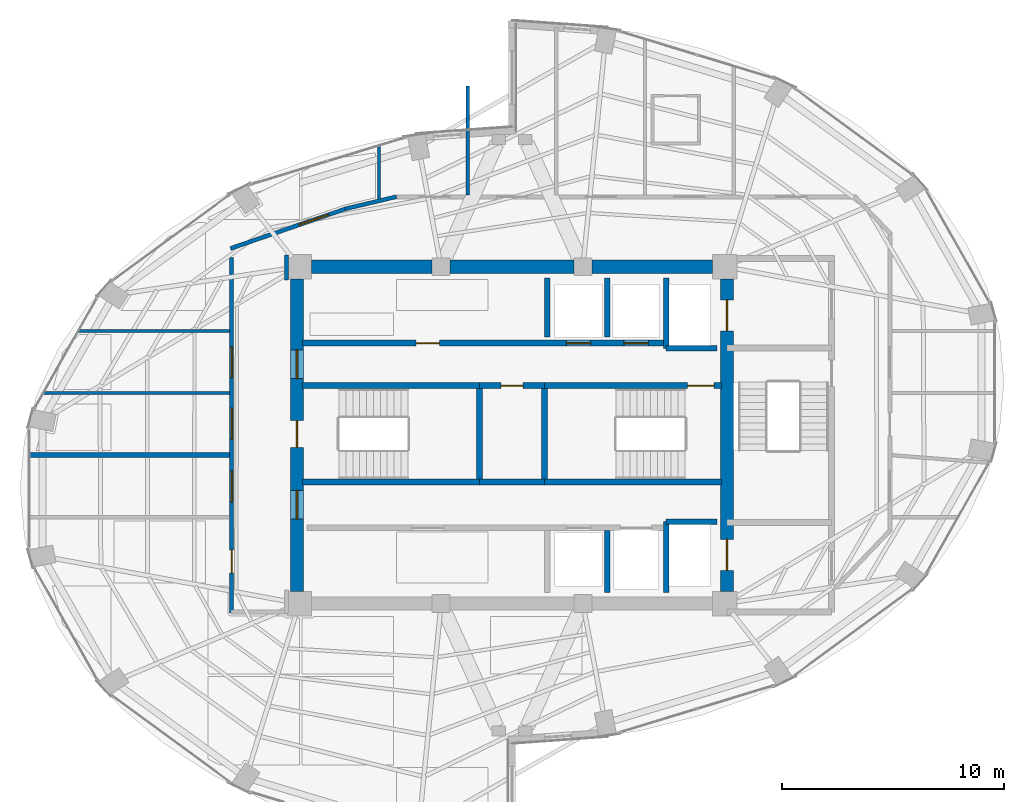
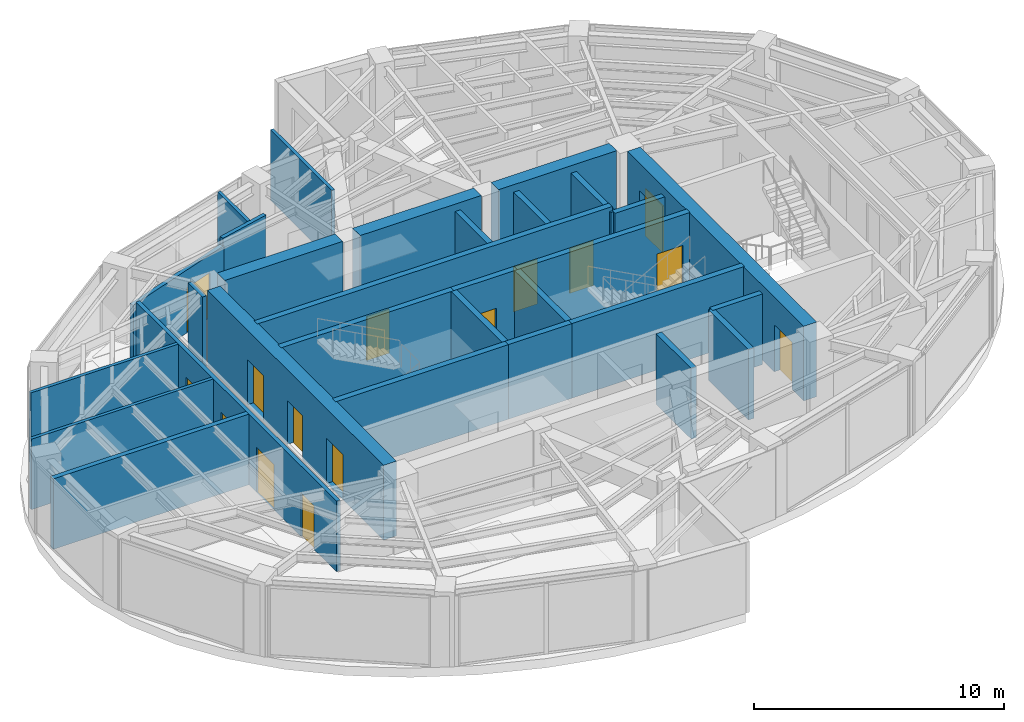
# One storey, part 19 of 23: 30 walls, 15 doors, 15 openings.
"""IFC4 building model written with IfcOpenShell, lengths in metres."""

from ifc_helpers import new_model, si_unit, direction, frame, frame_2d, origin, place, context, subcontext, project, spatial, rectangle, extrude, material, layer, layer_set, type_object, element, fill, save


model = new_model("IFC4")

# Units and contexts
model_context = context("Model", 3, precision=1e-05, world=origin(), true_north=direction((0.0, 1.0)))
body_context = subcontext(model_context, "Body", "Model", "MODEL_VIEW")
ifc_project = project(units=[si_unit("LENGTHUNIT", "METRE"), si_unit("AREAUNIT", "SQUARE_METRE"), si_unit("VOLUMEUNIT", "CUBIC_METRE"), si_unit("PLANEANGLEUNIT", "RADIAN"), si_unit("MASSUNIT", "GRAM", prefix="KILO")], contexts=[model_context])

# Site, building, storey
site_placement = place(None, origin())
site = spatial("IfcSite", under=ifc_project, at=site_placement, CompositionType="ELEMENT")
building_placement = place(site_placement, origin())
building = spatial("IfcBuilding", under=site, at=building_placement, Name="Lazwardi Medical Tower", CompositionType="ELEMENT")
storey_placement = place(building_placement, frame((0.0, 0.0, 194.83203125)))
storey = spatial("IfcBuildingStorey", under=building, at=storey_placement, Name="L50", CompositionType="ELEMENT", Elevation=194.83203125)

# Wall, opening, door
ifc_material_1 = material(Name="Fire-rated gypsum board on steel stud", Category="steel")
ifc_layer_1 = layer(ifc_material_1, 0.179931640625)
ifc_layer_set_1 = layer_set([ifc_layer_1], Name="Fire-rated gypsum board on steel stud")
wall_type_1 = type_object("IfcWallType", Name="WL-COR-180", PredefinedType="PARTITIONING", material=ifc_layer_set_1)
wall_1_placement = place(storey_placement, frame((23.294189453125, 36.422119140625, 0.0), z_axis=(0.0, 0.0, 1.0), x_axis=(0.945493277461, 0.325641616316, 0.0)))
wall_1 = element("IfcWall", 1, at=wall_1_placement, inside=storey, type_object=wall_type_1, Name="L50 Corridor partition 1", PredefinedType="PARTITIONING", context=body_context, shape_type="SweptSolid", body=[
    extrude(rectangle(XDim=5.5615234375, YDim=0.179931640625, at=frame_2d((2.78076171875, 0.0))), origin(), (0.0, 0.0, 1.0), 3.072998046875),
])
opening_1_placement = place(wall_1_placement, frame((3.28076171875, 0.0, 0.0)))
opening_1 = element("IfcOpeningElement", 2, at=opening_1_placement, cuts=wall_1, Name="Opening D-L50-019", PredefinedType="OPENING", context=body_context, shape_type="SweptSolid", body=[
    extrude(rectangle(XDim=1.39990234375, YDim=2.199951171875, at=frame_2d((0.699951171875, 1.10009765625))), frame((0.0, 0.099853515625, 0.0), z_axis=(0.0, -1.0, 0.0), x_axis=(1.0, 0.0, 0.0)), (0.0, 0.0, 1.0), 0.199951171875),
])
ifc_material_2 = material(Name="Anti-microbial laminate hospital leaf")
door_type_1 = type_object("IfcDoorType", Name="DR-BED-1400", OperationType="NOTDEFINED", PredefinedType="DOOR", material=ifc_material_2)
door_1_placement = place(opening_1_placement, origin())
door_1 = element("IfcDoor", 3, at=door_1_placement, inside=storey, type_object=door_type_1, Name="L50 Patient Bedroom Door 11", OperationType="SINGLE_SWING_LEFT", OverallHeight=2.199951171875, OverallWidth=1.39990234375, PredefinedType="DOOR", context=body_context, shape_type="SweptSolid", body=[
    extrude(rectangle(XDim=1.39990234375, YDim=2.199951171875, at=frame_2d((0.699951171875, 1.10009765625))), frame((0.0, 0.02490234375, 0.0), z_axis=(0.0, -1.0, 0.0), x_axis=(1.0, 0.0, 0.0)), (0.0, 0.0, 1.0), 0.050048828125),
])
fill(opening_1, door_1)

# Walls
wall_2_placement = place(storey_placement, frame((28.475830078125, 38.2109375, 0.0), z_axis=(0.0, 0.0, 1.0), x_axis=(0.973030562203, 0.230676234189, 0.0)))
element("IfcWall", 4, at=wall_2_placement, inside=storey, type_object=wall_type_1, Name="L50 Corridor partition 2", PredefinedType="PARTITIONING", context=body_context, shape_type="SweptSolid", body=[
    extrude(rectangle(XDim=2.377197265625, YDim=0.179931640625, at=frame_2d((1.1884765625, 0.0))), origin(), (0.0, 0.0, 1.0), 3.447998046875),
])
wall_3_placement = place(storey_placement, frame((25.830078125, 36.139892578125, 0.0), z_axis=(0.0, 0.0, 1.0), x_axis=(0.0, -1.0, 0.0)))
element("IfcWall", 5, at=wall_3_placement, inside=storey, type_object=wall_type_1, Name="L50 Corridor partition 7", PredefinedType="PARTITIONING", context=body_context, shape_type="SweptSolid", body=[
    extrude(rectangle(XDim=1.14990234375, YDim=0.179931640625, at=frame_2d((0.574951171875, 0.0))), origin(), (0.0, 0.0, 1.0), 3.447998046875),
])

# Wall, openings, doors
wall_4_placement = place(storey_placement, frame((23.35009765625, 19.97998046875, 0.0), z_axis=(0.0, 0.0, 1.0), x_axis=(0.0, 1.0, 0.0)))
wall_4 = element("IfcWall", 6, at=wall_4_placement, inside=storey, type_object=wall_type_1, Name="L50 Corridor partition 10", PredefinedType="PARTITIONING", context=body_context, shape_type="SweptSolid", body=[
    extrude(rectangle(XDim=16.04248046875, YDim=0.179931640625, at=frame_2d((8.021240234375, 0.0))), origin(), (0.0, 0.0, 1.0), 3.447998046875),
])
opening_2_placement = place(wall_4_placement, frame((5.00244140625, 0.0, 0.0)))
opening_2 = element("IfcOpeningElement", 7, at=opening_2_placement, cuts=wall_4, Name="Opening D-L50-009", PredefinedType="OPENING", context=body_context, shape_type="SweptSolid", body=[
    extrude(rectangle(XDim=1.39990234375, YDim=2.199951171875, at=frame_2d((0.699951171875, 1.10009765625))), frame((0.0, 0.099853515625, 0.0), z_axis=(0.0, -1.0, 0.0), x_axis=(1.0, 0.0, 0.0)), (0.0, 0.0, 1.0), 0.199951171875),
])
opening_3_placement = place(wall_4_placement, frame((1.7939453125, 0.0, 0.0)))
opening_3 = element("IfcOpeningElement", 8, at=opening_3_placement, cuts=wall_4, Name="Opening D-L50-010", PredefinedType="OPENING", context=body_context, shape_type="SweptSolid", body=[
    extrude(rectangle(XDim=1.050048828125, YDim=2.14990234375, at=frame_2d((0.52490234375, 1.074951171875))), frame((0.0, 0.099853515625, 0.0), z_axis=(0.0, -1.0, 0.0), x_axis=(1.0, 0.0, 0.0)), (0.0, 0.0, 1.0), 0.199951171875),
])
opening_4_placement = place(wall_4_placement, frame((10.6201171875, 0.0, 0.0)))
opening_4 = element("IfcOpeningElement", 9, at=opening_4_placement, cuts=wall_4, Name="Opening D-L50-020", PredefinedType="OPENING", context=body_context, shape_type="SweptSolid", body=[
    extrude(rectangle(XDim=1.39990234375, YDim=2.199951171875, at=frame_2d((0.699951171875, 1.10009765625))), frame((0.0, 0.099853515625, 0.0), z_axis=(0.0, -1.0, 0.0), x_axis=(1.0, 0.0, 0.0)), (0.0, 0.0, 1.0), 0.199951171875),
])
opening_5_placement = place(wall_4_placement, frame((7.83740234375, 0.0, 0.0)))
opening_5 = element("IfcOpeningElement", 10, at=opening_5_placement, cuts=wall_4, Name="Opening D-L50-021", PredefinedType="OPENING", context=body_context, shape_type="SweptSolid", body=[
    extrude(rectangle(XDim=1.39990234375, YDim=2.199951171875, at=frame_2d((0.699951171875, 1.10009765625))), frame((0.0, 0.099853515625, 0.0), z_axis=(0.0, -1.0, 0.0), x_axis=(1.0, 0.0, 0.0)), (0.0, 0.0, 1.0), 0.199951171875),
])
door_2_placement = place(opening_2_placement, origin())
door_2 = element("IfcDoor", 11, at=door_2_placement, inside=storey, type_object=door_type_1, Name="L50 Inpatient Ward Door 01", OperationType="SINGLE_SWING_RIGHT", OverallHeight=2.199951171875, OverallWidth=1.39990234375, PredefinedType="DOOR", context=body_context, shape_type="SweptSolid", body=[
    extrude(rectangle(XDim=1.39990234375, YDim=2.199951171875, at=frame_2d((0.699951171875, 1.10009765625))), frame((0.0, 0.02490234375, 0.0), z_axis=(0.0, -1.0, 0.0), x_axis=(1.0, 0.0, 0.0)), (0.0, 0.0, 1.0), 0.050048828125),
])
fill(opening_2, door_2)
door_3_placement = place(opening_4_placement, origin())
door_3 = element("IfcDoor", 12, at=door_3_placement, inside=storey, type_object=door_type_1, Name="L50 Outpatient Clinic Door 12", OperationType="SINGLE_SWING_RIGHT", OverallHeight=2.199951171875, OverallWidth=1.39990234375, PredefinedType="DOOR", context=body_context, shape_type="SweptSolid", body=[
    extrude(rectangle(XDim=1.39990234375, YDim=2.199951171875, at=frame_2d((0.699951171875, 1.10009765625))), frame((0.0, 0.02490234375, 0.0), z_axis=(0.0, -1.0, 0.0), x_axis=(1.0, 0.0, 0.0)), (0.0, 0.0, 1.0), 0.050048828125),
])
fill(opening_4, door_3)
door_4_placement = place(opening_5_placement, origin())
door_4 = element("IfcDoor", 13, at=door_4_placement, inside=storey, type_object=door_type_1, Name="L50 Outpatient Clinic Door 13", OperationType="SINGLE_SWING_LEFT", OverallHeight=2.199951171875, OverallWidth=1.39990234375, PredefinedType="DOOR", context=body_context, shape_type="SweptSolid", body=[
    extrude(rectangle(XDim=1.39990234375, YDim=2.199951171875, at=frame_2d((0.699951171875, 1.10009765625))), frame((0.0, 0.02490234375, 0.0), z_axis=(0.0, -1.0, 0.0), x_axis=(1.0, 0.0, 0.0)), (0.0, 0.0, 1.0), 0.050048828125),
])
fill(opening_5, door_4)
door_type_2 = type_object("IfcDoorType", Name="DR-CLN-1050", OperationType="NOTDEFINED", PredefinedType="DOOR", material=ifc_material_2)
door_5_placement = place(opening_3_placement, origin())
door_5 = element("IfcDoor", 14, at=door_5_placement, inside=storey, type_object=door_type_2, Name="L50 Clinical Specialist Office Door 02", OperationType="SINGLE_SWING_LEFT", OverallHeight=2.14990234375, OverallWidth=1.050048828125, PredefinedType="DOOR", context=body_context, shape_type="SweptSolid", body=[
    extrude(rectangle(XDim=1.050048828125, YDim=2.14990234375, at=frame_2d((0.52490234375, 1.074951171875))), frame((0.0, 0.02490234375, 0.0), z_axis=(0.0, -1.0, 0.0), x_axis=(1.0, 0.0, 0.0)), (0.0, 0.0, 1.0), 0.050048828125),
])
fill(opening_3, door_5)

ifc_material_3 = material(Name="Concrete C60/75", Category="concrete")
ifc_layer_2 = layer(ifc_material_3, 0.60009765625)
ifc_layer_set_2 = layer_set([ifc_layer_2], Name="Concrete C60/75")
wall_type_2 = type_object("IfcWallType", Name="WL-CORE-600", PredefinedType="SHEAR", material=ifc_layer_set_2)
wall_5_placement = place(storey_placement, frame((26.300048828125, 20.949951171875, 0.0), z_axis=(0.0, 0.0, 1.0), x_axis=(0.0, 1.0, 0.0)))
wall_5 = element("IfcWall", 15, at=wall_5_placement, inside=storey, type_object=wall_type_2, Name="Core wall CW-S3 west L50", PredefinedType="SHEAR", context=body_context, shape_type="SweptSolid", body=[
    extrude(rectangle(XDim=14.10009765625, YDim=0.60009765625, at=frame_2d((7.050048828125, 0.0))), origin(), (0.0, 0.0, 1.0), 3.64794921875),
])
opening_6_placement = place(wall_5_placement, frame((6.5, 0.0, 0.0)))
opening_6 = element("IfcOpeningElement", 16, at=opening_6_placement, cuts=wall_5, Name="Opening D-L50-022", PredefinedType="OPENING", context=body_context, shape_type="SweptSolid", body=[
    extrude(rectangle(XDim=1.199951171875, YDim=2.14990234375, at=frame_2d((0.60009765625, 1.074951171875))), frame((0.0, 0.31005859375, 0.0), z_axis=(0.0, -1.0, 0.0), x_axis=(1.0, 0.0, 0.0)), (0.0, 0.0, 1.0), 0.6201171875),
])
opening_7_placement = place(wall_5_placement, frame((9.60009765625, 0.0, 0.0)))
opening_7 = element("IfcOpeningElement", 17, at=opening_7_placement, cuts=wall_5, Name="Opening D-L50-007", PredefinedType="OPENING", context=body_context, shape_type="SweptSolid", body=[
    extrude(rectangle(XDim=1.300048828125, YDim=2.199951171875, at=frame_2d((0.64990234375, 1.10009765625))), frame((0.0, 0.31005859375, 0.0), z_axis=(0.0, -1.0, 0.0), x_axis=(1.0, 0.0, 0.0)), (0.0, 0.0, 1.0), 0.6201171875),
])
opening_8_placement = place(wall_5_placement, frame((3.260009765625, 0.0, 0.0)))
opening_8 = element("IfcOpeningElement", 18, at=opening_8_placement, cuts=wall_5, Name="Opening D-L50-008", PredefinedType="OPENING", context=body_context, shape_type="SweptSolid", body=[
    extrude(rectangle(XDim=1.300048828125, YDim=2.199951171875, at=frame_2d((0.64990234375, 1.10009765625))), frame((0.0, 0.31005859375, 0.0), z_axis=(0.0, -1.0, 0.0), x_axis=(1.0, 0.0, 0.0)), (0.0, 0.0, 1.0), 0.6201171875),
])
ifc_material_4 = material(Name="Fire-rated steel leaf and frame", Category="steel")
door_type_3 = type_object("IfcDoorType", Name="DR-FFL-1300", OperationType="NOTDEFINED", PredefinedType="DOOR", material=ifc_material_4)
door_6_placement = place(opening_7_placement, origin())
door_6 = element("IfcDoor", 19, at=door_6_placement, inside=storey, type_object=door_type_3, Name="L50 North Lift Lobby Door", OperationType="SINGLE_SWING_LEFT", OverallHeight=2.199951171875, OverallWidth=1.300048828125, PredefinedType="DOOR", context=body_context, shape_type="SweptSolid", body=[
    extrude(rectangle(XDim=1.300048828125, YDim=2.199951171875, at=frame_2d((0.64990234375, 1.10009765625))), frame((0.0, 0.02490234375, 0.0), z_axis=(0.0, -1.0, 0.0), x_axis=(1.0, 0.0, 0.0)), (0.0, 0.0, 1.0), 0.050048828125),
])
fill(opening_7, door_6)
door_7_placement = place(opening_8_placement, origin())
door_7 = element("IfcDoor", 20, at=door_7_placement, inside=storey, type_object=door_type_3, Name="L50 South Lift Lobby Door", OperationType="SINGLE_SWING_RIGHT", OverallHeight=2.199951171875, OverallWidth=1.300048828125, PredefinedType="DOOR", context=body_context, shape_type="SweptSolid", body=[
    extrude(rectangle(XDim=1.300048828125, YDim=2.199951171875, at=frame_2d((0.64990234375, 1.10009765625))), frame((0.0, 0.02490234375, 0.0), z_axis=(0.0, -1.0, 0.0), x_axis=(1.0, 0.0, 0.0)), (0.0, 0.0, 1.0), 0.050048828125),
])
fill(opening_8, door_7)
door_type_4 = type_object("IfcDoorType", Name="DR-STR-1200", OperationType="NOTDEFINED", PredefinedType="DOOR", material=ifc_material_4)
door_8_placement = place(opening_6_placement, origin())
door_8 = element("IfcDoor", 21, at=door_8_placement, inside=storey, type_object=door_type_4, Name="L50 Exit Stair ST1 Door", OperationType="SINGLE_SWING_RIGHT", OverallHeight=2.14990234375, OverallWidth=1.199951171875, PredefinedType="DOOR", context=body_context, shape_type="SweptSolid", body=[
    extrude(rectangle(XDim=1.199951171875, YDim=2.14990234375, at=frame_2d((0.60009765625, 1.074951171875))), frame((0.0, 0.02490234375, 0.0), z_axis=(0.0, -1.0, 0.0), x_axis=(1.0, 0.0, 0.0)), (0.0, 0.0, 1.0), 0.050048828125),
])
fill(opening_6, door_8)

wall_6_placement = place(storey_placement, frame((45.699951171875, 20.949951171875, 0.0), z_axis=(0.0, 0.0, 1.0), x_axis=(0.0, 1.0, 0.0)))
wall_6 = element("IfcWall", 22, at=wall_6_placement, inside=storey, type_object=wall_type_2, Name="Core wall CW-S3 east L50", PredefinedType="SHEAR", context=body_context, shape_type="SweptSolid", body=[
    extrude(rectangle(XDim=14.10009765625, YDim=0.60009765625, at=frame_2d((7.050048828125, 0.0))), origin(), (0.0, 0.0, 1.0), 3.64794921875),
])
opening_9_placement = place(wall_6_placement, frame((11.75, 0.0, 0.0)))
opening_9 = element("IfcOpeningElement", 23, at=opening_9_placement, cuts=wall_6, Name="Opening LD-L50-001", PredefinedType="OPENING", context=body_context, shape_type="SweptSolid", body=[
    extrude(rectangle(XDim=1.39990234375, YDim=2.300048828125, at=frame_2d((0.699951171875, 1.14990234375))), frame((0.0, 0.31005859375, 0.0), z_axis=(0.0, -1.0, 0.0), x_axis=(1.0, 0.0, 0.0)), (0.0, 0.0, 1.0), 0.6201171875),
])
opening_10_placement = place(wall_6_placement, frame((0.949951171875, 0.0, 0.0)))
opening_10 = element("IfcOpeningElement", 24, at=opening_10_placement, cuts=wall_6, Name="Opening LD-L50-002", PredefinedType="OPENING", context=body_context, shape_type="SweptSolid", body=[
    extrude(rectangle(XDim=1.39990234375, YDim=2.300048828125, at=frame_2d((0.699951171875, 1.14990234375))), frame((0.0, 0.31005859375, 0.0), z_axis=(0.0, -1.0, 0.0), x_axis=(1.0, 0.0, 0.0)), (0.0, 0.0, 1.0), 0.6201171875),
])
ifc_material_5 = material(Name="Brushed stainless steel bed-lift landing door", Category="steel")
door_type_5 = type_object("IfcDoorType", Name="DR-LFT-1400", OperationType="NOTDEFINED", PredefinedType="DOOR", material=ifc_material_5)
door_9_placement = place(opening_9_placement, origin())
door_9 = element("IfcDoor", 25, at=door_9_placement, inside=storey, type_object=door_type_5, Name="L50 Lift Landing Door FL-01", OperationType="SLIDING_TO_LEFT", OverallHeight=2.300048828125, OverallWidth=1.39990234375, PredefinedType="DOOR", context=body_context, shape_type="SweptSolid", body=[
    extrude(rectangle(XDim=1.39990234375, YDim=2.300048828125, at=frame_2d((0.699951171875, 1.14990234375))), frame((0.0, 0.02490234375, 0.0), z_axis=(0.0, -1.0, 0.0), x_axis=(1.0, 0.0, 0.0)), (0.0, 0.0, 1.0), 0.050048828125),
])
fill(opening_9, door_9)
door_10_placement = place(opening_10_placement, origin())
door_10 = element("IfcDoor", 26, at=door_10_placement, inside=storey, type_object=door_type_5, Name="L50 Lift Landing Door FL-02", OperationType="SLIDING_TO_LEFT", OverallHeight=2.300048828125, OverallWidth=1.39990234375, PredefinedType="DOOR", context=body_context, shape_type="SweptSolid", body=[
    extrude(rectangle(XDim=1.39990234375, YDim=2.300048828125, at=frame_2d((0.699951171875, 1.14990234375))), frame((0.0, 0.02490234375, 0.0), z_axis=(0.0, -1.0, 0.0), x_axis=(1.0, 0.0, 0.0)), (0.0, 0.0, 1.0), 0.050048828125),
])
fill(opening_10, door_10)

# Walls
wall_7_placement = place(storey_placement, frame((26.949951171875, 35.60009765625, 0.0), z_axis=(0.0, 0.0, 1.0), x_axis=(1.0, 0.0, 0.0)))
element("IfcWall", 27, at=wall_7_placement, inside=storey, type_object=wall_type_2, Name="Core wall CW-S3 N1 L50", PredefinedType="SHEAR", context=body_context, shape_type="SweptSolid", body=[
    extrude(rectangle(XDim=5.449951171875, YDim=0.60009765625, at=frame_2d((2.72509765625, 0.0))), origin(), (0.0, 0.0, 1.0), 3.64794921875),
])
wall_8_placement = place(storey_placement, frame((33.199951171875, 35.60009765625, 0.0), z_axis=(0.0, 0.0, 1.0), x_axis=(1.0, 0.0, 0.0)))
element("IfcWall", 28, at=wall_8_placement, inside=storey, type_object=wall_type_2, Name="Core wall CW-S3 N2 L50", PredefinedType="SHEAR", context=body_context, shape_type="SweptSolid", body=[
    extrude(rectangle(XDim=5.60009765625, YDim=0.60009765625, at=frame_2d((2.800048828125, 0.0))), origin(), (0.0, 0.0, 1.0), 3.64794921875),
])
wall_9_placement = place(storey_placement, frame((39.60009765625, 35.60009765625, 0.0), z_axis=(0.0, 0.0, 1.0), x_axis=(1.0, 0.0, 0.0)))
element("IfcWall", 29, at=wall_9_placement, inside=storey, type_object=wall_type_2, Name="Core wall CW-S3 N3 L50", PredefinedType="SHEAR", context=body_context, shape_type="SweptSolid", body=[
    extrude(rectangle(XDim=5.449951171875, YDim=0.60009765625, at=frame_2d((2.72509765625, 0.0))), origin(), (0.0, 0.0, 1.0), 3.64794921875),
])
ifc_material_6 = material(Name="Autoclaved aerated concrete blockwork", Category="masonry")
ifc_layer_3 = layer(ifc_material_6, 0.25)
ifc_layer_set_3 = layer_set([ifc_layer_3], Name="Autoclaved aerated concrete blockwork")
wall_type_3 = type_object("IfcWallType", Name="WL-SHAFT-250", PredefinedType="SOLIDWALL", material=ifc_layer_set_3)
wall_10_placement = place(storey_placement, frame((42.949951171875, 31.919921875, 0.0), z_axis=(0.0, 0.0, 1.0), x_axis=(0.0, 1.0, 0.0)))
element("IfcWall", 30, at=wall_10_placement, inside=storey, type_object=wall_type_3, Name="L50 FL-01 West shaft wall", PredefinedType="SOLIDWALL", context=body_context, shape_type="SweptSolid", body=[
    extrude(rectangle(XDim=3.18017578125, YDim=0.25, at=frame_2d((1.590087890625, 0.0))), origin(), (0.0, 0.0, 1.0), 3.447998046875),
])
wall_11_placement = place(storey_placement, frame((42.949951171875, 31.919921875, 0.0), z_axis=(0.0, 0.0, 1.0), x_axis=(1.0, 0.0, 0.0)))
element("IfcWall", 31, at=wall_11_placement, inside=storey, type_object=wall_type_3, Name="L50 FL-01 South shaft wall", PredefinedType="SOLIDWALL", context=body_context, shape_type="SweptSolid", body=[
    extrude(rectangle(XDim=2.300048828125, YDim=0.25, at=frame_2d((1.14990234375, 0.0))), origin(), (0.0, 0.0, 1.0), 3.447998046875),
])
wall_12_placement = place(storey_placement, frame((42.949951171875, 20.89990234375, 0.0), z_axis=(0.0, 0.0, 1.0), x_axis=(0.0, 1.0, 0.0)))
element("IfcWall", 32, at=wall_12_placement, inside=storey, type_object=wall_type_3, Name="L50 FL-02 West shaft wall", PredefinedType="SOLIDWALL", context=body_context, shape_type="SweptSolid", body=[
    extrude(rectangle(XDim=3.2001953125, YDim=0.25, at=frame_2d((1.60009765625, 0.0))), origin(), (0.0, 0.0, 1.0), 3.447998046875),
])
wall_13_placement = place(storey_placement, frame((42.949951171875, 24.10009765625, 0.0), z_axis=(0.0, 0.0, 1.0), x_axis=(1.0, 0.0, 0.0)))
element("IfcWall", 33, at=wall_13_placement, inside=storey, type_object=wall_type_3, Name="L50 FL-02 North shaft wall", PredefinedType="SOLIDWALL", context=body_context, shape_type="SweptSolid", body=[
    extrude(rectangle(XDim=2.300048828125, YDim=0.25, at=frame_2d((1.14990234375, 0.0))), origin(), (0.0, 0.0, 1.0), 3.447998046875),
])
for number, where, z_axis, x_axis, name in (
    (34, (37.60009765625, 32.419921875, 0.0), (0.0, 0.0, 1.0), (0.0, 1.0, 0.0), "L50 North hoistway divider"),
    (35, (40.300048828125, 32.419921875, 0.0), (0.0, 0.0, 1.0), (0.0, 1.0, 0.0), "L50 North hoistway divider"),
):
    element("IfcWall", number, at=place(storey_placement, frame(where, z_axis=z_axis, x_axis=x_axis)), inside=storey, type_object=wall_type_3, Name=name, PredefinedType="SOLIDWALL", context=body_context, shape_type="SweptSolid", body=[
        extrude(rectangle(XDim=2.68017578125, YDim=0.25, at=frame_2d((1.340087890625, 0.0))), origin(), (0.0, 0.0, 1.0), 3.447998046875),
    ])
wall_14_placement = place(storey_placement, frame((40.300048828125, 20.89990234375, 0.0), z_axis=(0.0, 0.0, 1.0), x_axis=(0.0, 1.0, 0.0)))
element("IfcWall", 36, at=wall_14_placement, inside=storey, type_object=wall_type_3, Name="L50 South hoistway divider", PredefinedType="SOLIDWALL", context=body_context, shape_type="SweptSolid", body=[
    extrude(rectangle(XDim=2.800048828125, YDim=0.25, at=frame_2d((1.39990234375, 0.0))), origin(), (0.0, 0.0, 1.0), 3.447998046875),
])
ifc_layer_4 = layer(ifc_material_1, 0.219970703125)
ifc_layer_set_4 = layer_set([ifc_layer_4], Name="Fire-rated gypsum board on steel stud")
wall_type_4 = type_object("IfcWallType", Name="WL-SMK-220", PredefinedType="PARTITIONING", material=ifc_layer_set_4)
wall_15_placement = place(storey_placement, frame((14.228271484375, 27.10009765625, 0.0), z_axis=(0.0, 0.0, 1.0), x_axis=(1.0, 0.0, 0.0)))
element("IfcWall", 37, at=wall_15_placement, inside=storey, type_object=wall_type_4, Name="L50 Room partition 2", PredefinedType="PARTITIONING", context=body_context, shape_type="SweptSolid", body=[
    extrude(rectangle(XDim=9.03173828125, YDim=0.219970703125, at=frame_2d((4.515869140625, 0.0))), origin(), (0.0, 0.0, 1.0), 3.447998046875),
])
ifc_material_7 = material(Name="Concrete C50/60", Category="concrete")
ifc_layer_5 = layer(ifc_material_7, 0.27001953125)
ifc_layer_set_5 = layer_set([ifc_layer_5], Name="Concrete C50/60")
wall_type_5 = type_object("IfcWallType", Name="WL-STR-250", PredefinedType="SHEAR", material=ifc_layer_set_5)
wall_16_placement = place(storey_placement, frame((26.550048828125, 30.235107421875, 0.0), z_axis=(0.0, 0.0, 1.0), x_axis=(1.0, 0.0, 0.0)))
element("IfcWall", 38, at=wall_16_placement, inside=storey, type_object=wall_type_5, Name="L50 ST1 North shear shaft wall SW-S1", PredefinedType="SHEAR", context=body_context, shape_type="SweptSolid", body=[
    extrude(rectangle(XDim=7.98486328125, YDim=0.27001953125, at=frame_2d((3.992431640625, 0.0))), origin(), (0.0, 0.0, 1.0), 3.64794921875),
])

# Wall, opening, door
wall_17_placement = place(storey_placement, frame((34.534912109375, 30.235107421875, 0.0), z_axis=(0.0, 0.0, 1.0), x_axis=(1.0, 0.0, 0.0)))
wall_17 = element("IfcWall", 39, at=wall_17_placement, inside=storey, type_object=wall_type_5, Name="L50 Core service North shear wall SW-S1", PredefinedType="SHEAR", context=body_context, shape_type="SweptSolid", body=[
    extrude(rectangle(XDim=2.93017578125, YDim=0.27001953125, at=frame_2d((1.465087890625, 0.0))), origin(), (0.0, 0.0, 1.0), 3.64794921875),
])
opening_11_placement = place(wall_17_placement, frame((0.965087890625, 0.0, 0.0)))
opening_11 = element("IfcOpeningElement", 40, at=opening_11_placement, cuts=wall_17, Name="Opening D-L50-001", PredefinedType="OPENING", context=body_context, shape_type="SweptSolid", body=[
    extrude(rectangle(XDim=1.0, YDim=2.10009765625, at=frame_2d((0.5, 1.050048828125))), frame((0.0, 0.14501953125, 0.0), z_axis=(0.0, -1.0, 0.0), x_axis=(1.0, 0.0, 0.0)), (0.0, 0.0, 1.0), 0.2900390625),
])
ifc_material_8 = material(Name="Moisture-resistant laminate door leaf")
door_type_6 = type_object("IfcDoorType", Name="DR-AWC-1000", OperationType="NOTDEFINED", PredefinedType="DOOR", material=ifc_material_8)
door_11_placement = place(opening_11_placement, origin())
door_11 = element("IfcDoor", 41, at=door_11_placement, inside=storey, type_object=door_type_6, Name="L50 Accessible WC Door", OperationType="SINGLE_SWING_RIGHT", OverallHeight=2.10009765625, OverallWidth=1.0, PredefinedType="DOOR", context=body_context, shape_type="SweptSolid", body=[
    extrude(rectangle(XDim=1.0, YDim=2.10009765625, at=frame_2d((0.5, 1.050048828125))), frame((0.0, 0.02490234375, 0.0), z_axis=(0.0, -1.0, 0.0), x_axis=(1.0, 0.0, 0.0)), (0.0, 0.0, 1.0), 0.050048828125),
])
fill(opening_11, door_11)

wall_18_placement = place(storey_placement, frame((37.465087890625, 30.235107421875, 0.0), z_axis=(0.0, 0.0, 1.0), x_axis=(1.0, 0.0, 0.0)))
wall_18 = element("IfcWall", 42, at=wall_18_placement, inside=storey, type_object=wall_type_5, Name="L50 ST2 North shear shaft wall SW-S1", PredefinedType="SHEAR", context=body_context, shape_type="SweptSolid", body=[
    extrude(rectangle(XDim=7.98486328125, YDim=0.27001953125, at=frame_2d((3.992431640625, 0.0))), origin(), (0.0, 0.0, 1.0), 3.64794921875),
])
opening_12_placement = place(wall_18_placement, frame((6.455078125, 0.0, 0.0)))
opening_12 = element("IfcOpeningElement", 43, at=opening_12_placement, cuts=wall_18, Name="Opening D-L50-023", PredefinedType="OPENING", context=body_context, shape_type="SweptSolid", body=[
    extrude(rectangle(XDim=1.199951171875, YDim=2.14990234375, at=frame_2d((0.60009765625, 1.074951171875))), frame((0.0, 0.14501953125, 0.0), z_axis=(0.0, -1.0, 0.0), x_axis=(1.0, 0.0, 0.0)), (0.0, 0.0, 1.0), 0.2900390625),
])
door_12_placement = place(opening_12_placement, origin())
door_12 = element("IfcDoor", 44, at=door_12_placement, inside=storey, type_object=door_type_4, Name="L50 Exit Stair ST2 Door", OperationType="SINGLE_SWING_LEFT", OverallHeight=2.14990234375, OverallWidth=1.199951171875, PredefinedType="DOOR", context=body_context, shape_type="SweptSolid", body=[
    extrude(rectangle(XDim=1.199951171875, YDim=2.14990234375, at=frame_2d((0.60009765625, 1.074951171875))), frame((0.0, 0.02490234375, 0.0), z_axis=(0.0, -1.0, 0.0), x_axis=(1.0, 0.0, 0.0)), (0.0, 0.0, 1.0), 0.050048828125),
])
fill(opening_12, door_12)

# Walls
wall_19_placement = place(storey_placement, frame((26.550048828125, 25.885009765625, 0.0), z_axis=(0.0, 0.0, 1.0), x_axis=(1.0, 0.0, 0.0)))
element("IfcWall", 45, at=wall_19_placement, inside=storey, type_object=wall_type_5, Name="L50 ST1 South shear shaft wall SW-S1", PredefinedType="SHEAR", context=body_context, shape_type="SweptSolid", body=[
    extrude(rectangle(XDim=7.98486328125, YDim=0.27001953125, at=frame_2d((3.992431640625, 0.0))), origin(), (0.0, 0.0, 1.0), 3.64794921875),
])
wall_20_placement = place(storey_placement, frame((34.534912109375, 25.885009765625, 0.0), z_axis=(0.0, 0.0, 1.0), x_axis=(1.0, 0.0, 0.0)))
element("IfcWall", 46, at=wall_20_placement, inside=storey, type_object=wall_type_5, Name="L50 Core service South shear wall SW-S1", PredefinedType="SHEAR", context=body_context, shape_type="SweptSolid", body=[
    extrude(rectangle(XDim=2.93017578125, YDim=0.27001953125, at=frame_2d((1.465087890625, 0.0))), origin(), (0.0, 0.0, 1.0), 3.64794921875),
])
wall_21_placement = place(storey_placement, frame((37.465087890625, 25.885009765625, 0.0), z_axis=(0.0, 0.0, 1.0), x_axis=(1.0, 0.0, 0.0)))
element("IfcWall", 47, at=wall_21_placement, inside=storey, type_object=wall_type_5, Name="L50 ST2 South shear shaft wall SW-S1", PredefinedType="SHEAR", context=body_context, shape_type="SweptSolid", body=[
    extrude(rectangle(XDim=7.98486328125, YDim=0.27001953125, at=frame_2d((3.992431640625, 0.0))), origin(), (0.0, 0.0, 1.0), 3.64794921875),
])
for number, where, z_axis, x_axis, name in (
    (48, (34.534912109375, 26.02001953125, 0.0), (0.0, 0.0, 1.0), (0.0, 1.0, 0.0), "L50 ST1 East shear shaft wall SW-S1"),
    (49, (37.465087890625, 26.02001953125, 0.0), (0.0, 0.0, 1.0), (0.0, 1.0, 0.0), "L50 ST2 West shear shaft wall SW-S1"),
):
    element("IfcWall", number, at=place(storey_placement, frame(where, z_axis=z_axis, x_axis=x_axis)), inside=storey, type_object=wall_type_5, Name=name, PredefinedType="SHEAR", context=body_context, shape_type="SweptSolid", body=[
        extrude(rectangle(XDim=4.080078125, YDim=0.27001953125, at=frame_2d((2.0400390625, 0.0))), origin(), (0.0, 0.0, 1.0), 3.64794921875),
    ])

# Wall, openings, doors
wall_22_placement = place(storey_placement, frame((26.550048828125, 32.14990234375, 0.0), z_axis=(0.0, 0.0, 1.0), x_axis=(1.0, 0.0, 0.0)))
wall_22 = element("IfcWall", 50, at=wall_22_placement, inside=storey, type_object=wall_type_5, Name="L50 North lift bank shear wall SW-S1", PredefinedType="SHEAR", context=body_context, shape_type="SweptSolid", body=[
    extrude(rectangle(XDim=16.39990234375, YDim=0.27001953125, at=frame_2d((8.199951171875, 0.0))), origin(), (0.0, 0.0, 1.0), 3.64794921875),
])
opening_13_placement = place(wall_22_placement, frame((5.125, 0.0, 0.0)))
opening_13 = element("IfcOpeningElement", 51, at=opening_13_placement, cuts=wall_22, Name="Opening D-L50-003", PredefinedType="OPENING", context=body_context, shape_type="SweptSolid", body=[
    extrude(rectangle(XDim=1.050048828125, YDim=2.14990234375, at=frame_2d((0.52490234375, 1.074951171875))), frame((0.0, 0.14501953125, 0.0), z_axis=(0.0, -1.0, 0.0), x_axis=(1.0, 0.0, 0.0)), (0.0, 0.0, 1.0), 0.2900390625),
])
opening_14_placement = place(wall_22_placement, frame((11.89990234375, 0.0, 0.0)))
opening_14 = element("IfcOpeningElement", 52, at=opening_14_placement, cuts=wall_22, Name="Opening LD-L50-004", PredefinedType="OPENING", context=body_context, shape_type="SweptSolid", body=[
    extrude(rectangle(XDim=1.10009765625, YDim=2.199951171875, at=frame_2d((0.550048828125, 1.10009765625))), frame((0.0, 0.14501953125, 0.0), z_axis=(0.0, -1.0, 0.0), x_axis=(1.0, 0.0, 0.0)), (0.0, 0.0, 1.0), 0.2900390625),
])
opening_15_placement = place(wall_22_placement, frame((14.5, 0.0, 0.0)))
opening_15 = element("IfcOpeningElement", 53, at=opening_15_placement, cuts=wall_22, Name="Opening LD-L50-005", PredefinedType="OPENING", context=body_context, shape_type="SweptSolid", body=[
    extrude(rectangle(XDim=1.10009765625, YDim=2.199951171875, at=frame_2d((0.550048828125, 1.10009765625))), frame((0.0, 0.14501953125, 0.0), z_axis=(0.0, -1.0, 0.0), x_axis=(1.0, 0.0, 0.0)), (0.0, 0.0, 1.0), 0.2900390625),
])
door_13_placement = place(opening_13_placement, origin())
door_13 = element("IfcDoor", 54, at=door_13_placement, inside=storey, type_object=door_type_2, Name="L50 Core North Suite Door", OperationType="SINGLE_SWING_LEFT", OverallHeight=2.14990234375, OverallWidth=1.050048828125, PredefinedType="DOOR", context=body_context, shape_type="SweptSolid", body=[
    extrude(rectangle(XDim=1.050048828125, YDim=2.14990234375, at=frame_2d((0.52490234375, 1.074951171875))), frame((0.0, 0.02490234375, 0.0), z_axis=(0.0, -1.0, 0.0), x_axis=(1.0, 0.0, 0.0)), (0.0, 0.0, 1.0), 0.050048828125),
])
fill(opening_13, door_13)
ifc_material_9 = material(Name="Brushed bronze stainless steel landing door", Category="steel")
door_type_7 = type_object("IfcDoorType", Name="DR-LFT-1100", OperationType="NOTDEFINED", PredefinedType="DOOR", material=ifc_material_9)
door_14_placement = place(opening_14_placement, origin())
door_14 = element("IfcDoor", 55, at=door_14_placement, inside=storey, type_object=door_type_7, Name="L50 Lift Landing Door PL-09", OperationType="SLIDING_TO_LEFT", OverallHeight=2.199951171875, OverallWidth=1.10009765625, PredefinedType="DOOR", context=body_context, shape_type="SweptSolid", body=[
    extrude(rectangle(XDim=1.10009765625, YDim=2.199951171875, at=frame_2d((0.550048828125, 1.10009765625))), frame((0.0, 0.02490234375, 0.0), z_axis=(0.0, -1.0, 0.0), x_axis=(1.0, 0.0, 0.0)), (0.0, 0.0, 1.0), 0.050048828125),
])
fill(opening_14, door_14)
door_15_placement = place(opening_15_placement, origin())
door_15 = element("IfcDoor", 56, at=door_15_placement, inside=storey, type_object=door_type_7, Name="L50 Lift Landing Door PL-10", OperationType="SLIDING_TO_LEFT", OverallHeight=2.199951171875, OverallWidth=1.10009765625, PredefinedType="DOOR", context=body_context, shape_type="SweptSolid", body=[
    extrude(rectangle(XDim=1.10009765625, YDim=2.199951171875, at=frame_2d((0.550048828125, 1.10009765625))), frame((0.0, 0.02490234375, 0.0), z_axis=(0.0, -1.0, 0.0), x_axis=(1.0, 0.0, 0.0)), (0.0, 0.0, 1.0), 0.050048828125),
])
fill(opening_15, door_15)

# Walls
ifc_material_10 = material(Name="Acoustic gypsum board partition")
ifc_layer_6 = layer(ifc_material_10, 0.14990234375)
ifc_layer_set_6 = layer_set([ifc_layer_6], Name="Acoustic gypsum board partition")
wall_type_6 = type_object("IfcWallType", Name="WL-WRD-150", PredefinedType="PARTITIONING", material=ifc_layer_set_6)
wall_23_placement = place(storey_placement, frame((14.86083984375, 29.89990234375, 0.0), z_axis=(0.0, 0.0, 1.0), x_axis=(1.0, 0.0, 0.0)))
element("IfcWall", 57, at=wall_23_placement, inside=storey, type_object=wall_type_6, Name="L50 Room partition 3", PredefinedType="PARTITIONING", context=body_context, shape_type="SweptSolid", body=[
    extrude(rectangle(XDim=8.399169921875, YDim=0.14990234375, at=frame_2d((4.19970703125, 0.0))), origin(), (0.0, 0.0, 1.0), 3.447998046875),
])
wall_24_placement = place(storey_placement, frame((16.44287109375, 32.699951171875, 0.0), z_axis=(0.0, 0.0, 1.0), x_axis=(1.0, 0.0, 0.0)))
element("IfcWall", 58, at=wall_24_placement, inside=storey, type_object=wall_type_6, Name="L50 Room partition 4", PredefinedType="PARTITIONING", context=body_context, shape_type="SweptSolid", body=[
    extrude(rectangle(XDim=6.817138671875, YDim=0.14990234375, at=frame_2d((3.40869140625, 0.0))), origin(), (0.0, 0.0, 1.0), 3.447998046875),
])
wall_25_placement = place(storey_placement, frame((30.0, 38.663818359375, 0.0), z_axis=(0.0, 0.0, 1.0), x_axis=(0.0, 1.0, 0.0)))
element("IfcWall", 59, at=wall_25_placement, inside=storey, type_object=wall_type_6, Name="L50 Room partition 9", PredefinedType="PARTITIONING", context=body_context, shape_type="SweptSolid", body=[
    extrude(rectangle(XDim=2.384033203125, YDim=0.14990234375, at=frame_2d((1.19189453125, 0.0))), origin(), (0.0, 0.0, 1.0), 3.447998046875),
])
wall_26_placement = place(storey_placement, frame((34.0, 38.840087890625, 0.0), z_axis=(0.0, 0.0, 1.0), x_axis=(0.0, 1.0, 0.0)))
element("IfcWall", 60, at=wall_26_placement, inside=storey, type_object=wall_type_6, Name="L50 Room partition 10", PredefinedType="PARTITIONING", context=body_context, shape_type="SweptSolid", body=[
    extrude(rectangle(XDim=4.904052734375, YDim=0.14990234375, at=frame_2d((2.4521484375, 0.0))), origin(), (0.0, 0.0, 1.0), 3.447998046875),
])

save(model, "model.ifc")
